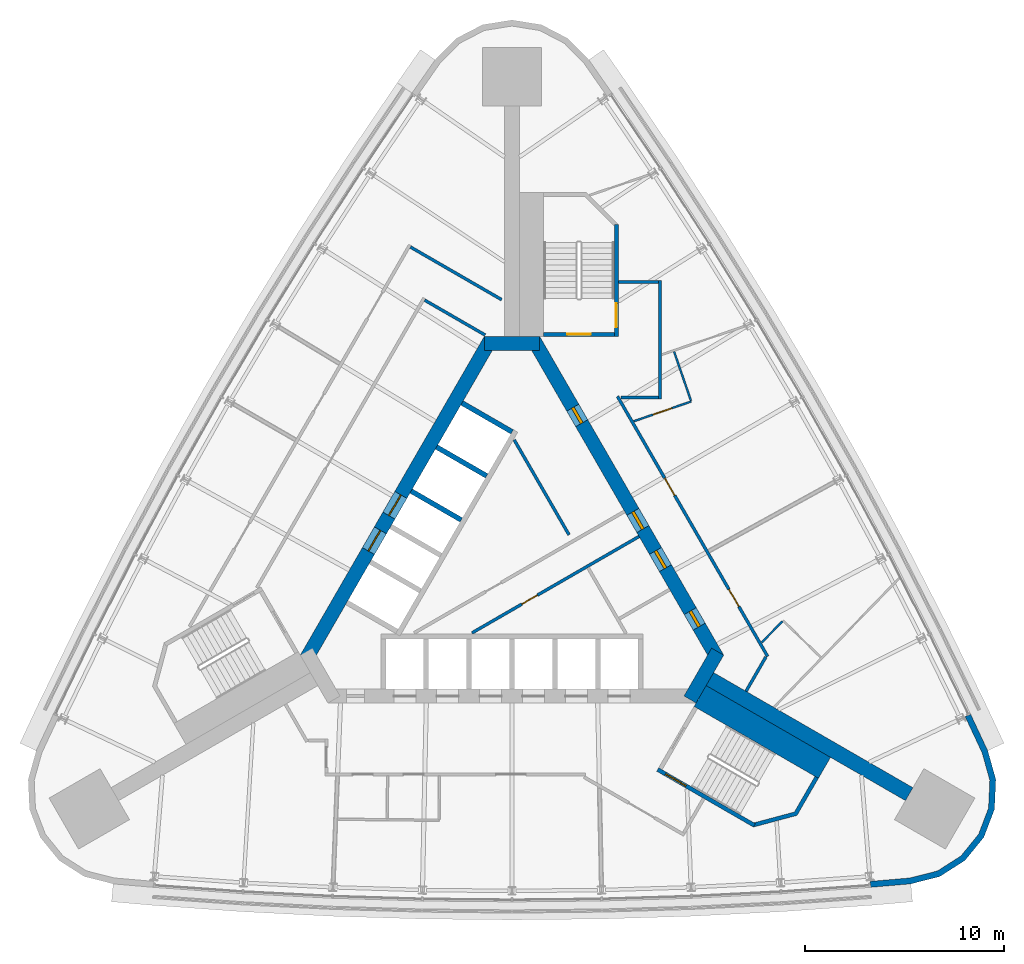
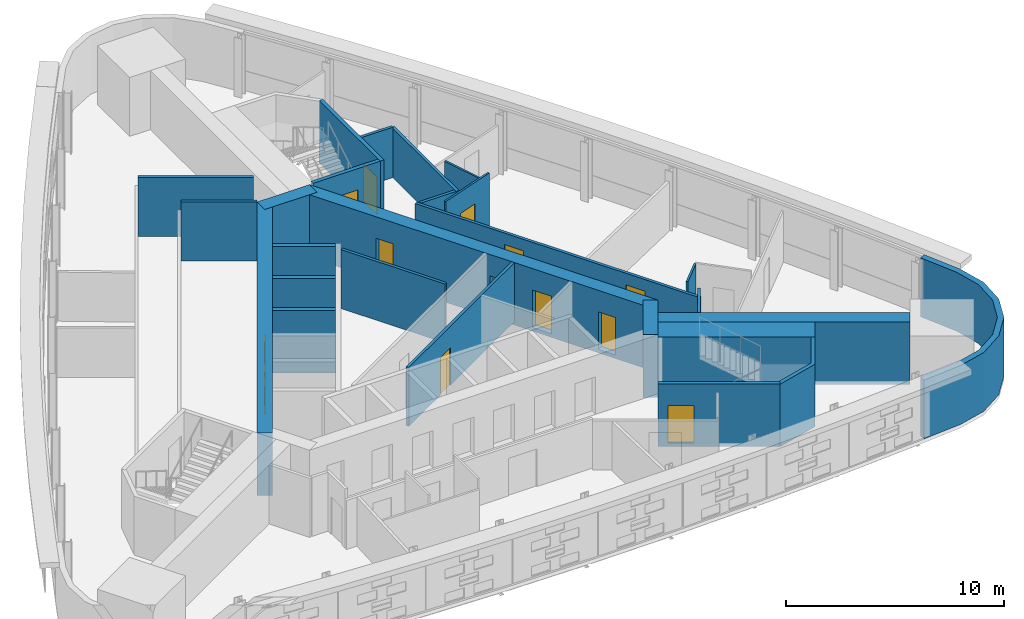
# One storey, part 8 of 11: 26 walls, 13 doors, 13 openings.
"""IFC4 building model written with IfcOpenShell, lengths in metres."""

import ifcopenshell
import ifcopenshell.guid

model = None  # the IFC model being written
_history = None  # IfcOwnerHistory: only IFC2X3 demands one
_inside = {}  # id of a spatial element -> (the spatial element, [elements in it])
_under = {}  # id of a project, library or spatial element -> (it, [spatial elements below it])
_declared = {}  # id of a project -> (the project, [libraries it declares])
_typed = {}  # id of a type object -> (the type object, [elements of that type])
_made_of = {}  # id of a material, layer set ... -> (it, [elements and type objects made of it])


def new_model(schema):
    """Start an empty IFC model of exactly this schema.

    Asked for "IFC4X3", IfcOpenShell would pick the latest addendum, in which some entities
    have other attributes; the version numbers below select the first issue.
    IFC2X3 requires an IfcOwnerHistory on every rooted entity: one is made here for all.
    """
    global model, _history
    if schema == "IFC4X3":
        model = ifcopenshell.file(schema_version=(4, 3, 0, 0))
    else:
        model = ifcopenshell.file(schema=schema)
    _inside.clear()
    _under.clear()
    _declared.clear()
    _typed.clear()
    _made_of.clear()
    _history = None
    if model.schema == "IFC2X3":
        org = make("IfcOrganization", Name="unknown")
        user = make(
            "IfcPersonAndOrganization",
            ThePerson=make("IfcPerson", FamilyName="unknown"),
            TheOrganization=org,
        )
        app = make(
            "IfcApplication",
            ApplicationDeveloper=org,
            Version="unknown",
            ApplicationFullName="unknown",
            ApplicationIdentifier="unknown",
        )
        _history = make(
            "IfcOwnerHistory",
            OwningUser=user,
            OwningApplication=app,
            ChangeAction="ADDED",
            CreationDate=0,
        )
    return model


def make(cls, **values):
    """One entity of the class cls with the attributes given. An attribute that is None is left unset."""
    return model.create_entity(
        cls, **{name: value for name, value in values.items() if value is not None}
    )


def rooted(cls, **values):
    """An entity with a GlobalId (a new one), such as an element, a storey or a relation."""
    return make(cls, GlobalId=ifcopenshell.guid.new(), OwnerHistory=_history, **values)


def si_unit(unit_type, name, prefix=None):
    """IfcSIUnit, for example si_unit("LENGTHUNIT", "METRE", prefix="MILLI")."""
    return make("IfcSIUnit", UnitType=unit_type, Prefix=prefix, Name=name)


def assignment(units):
    """IfcUnitAssignment: the units of a project."""
    return None if units is None else make("IfcUnitAssignment", Units=units)


def point(xyz):
    """IfcCartesianPoint."""
    return None if xyz is None else make("IfcCartesianPoint", Coordinates=xyz)


def direction(xyz):
    """IfcDirection."""
    return None if xyz is None else make("IfcDirection", DirectionRatios=xyz)


def frame(location, z_axis=None, x_axis=None):
    """IfcAxis2Placement3D, a coordinate frame: its origin and axes. An axis left out is left unset."""
    return make(
        "IfcAxis2Placement3D",
        Location=point(location),
        Axis=direction(z_axis),
        RefDirection=direction(x_axis),
    )


def frame_2d(location, x_axis=None):
    """IfcAxis2Placement2D, a coordinate frame in the plane: its origin and x axis."""
    return make(
        "IfcAxis2Placement2D", Location=point(location), RefDirection=direction(x_axis)
    )


def origin():
    """The frame at (0, 0, 0) with its axes left unset."""
    return frame((0.0, 0.0, 0.0))


def place(relative_to, where):
    """IfcLocalPlacement: puts the frame where relative to a parent placement (None: the world)."""
    return make(
        "IfcLocalPlacement", PlacementRelTo=relative_to, RelativePlacement=where
    )


def context(
    kind, dimensions, precision=None, world=None, true_north=None, identifier=None
):
    """IfcGeometricRepresentationContext, for example the 3D "Model" context."""
    return make(
        "IfcGeometricRepresentationContext",
        ContextIdentifier=identifier,
        ContextType=kind,
        CoordinateSpaceDimension=dimensions,
        Precision=precision,
        WorldCoordinateSystem=world,
        TrueNorth=true_north,
    )


def subcontext(parent, identifier, kind, view, scale=None):
    """IfcGeometricRepresentationSubContext, for example "Body" below "Model"."""
    return make(
        "IfcGeometricRepresentationSubContext",
        ContextIdentifier=identifier,
        ContextType=kind,
        ParentContext=parent,
        TargetScale=scale,
        TargetView=view,
    )


def project(units=None, contexts=None):
    """IfcProject with its units and contexts."""
    return rooted(
        "IfcProject",
        Name="project",
        RepresentationContexts=contexts,
        UnitsInContext=assignment(units),
    )


def spatial(cls, under=None, at=None, **own):
    """A site, building, storey or space (cls), placed at a placement, below another one or the project."""
    s = rooted(cls, ObjectPlacement=at, **own)
    if under is not None:
        _under.setdefault(under.id(), (under, []))[1].append(s)
    return s


def polyline(points):
    """IfcPolyline through the points."""
    return make("IfcPolyline", Points=[point(p) for p in points])


def profile(cls, at=None, kind="AREA", **sizes):
    """A parametric profile (cls). Its sizes go by their IFC names, for example OverallWidth=200.0."""
    return make(cls, ProfileType=kind, Position=at, **sizes)


def rectangle(**sizes):
    """IfcRectangleProfileDef."""
    return profile("IfcRectangleProfileDef", **sizes)


def outline(outer, holes=None, kind="AREA"):
    """IfcArbitraryClosedProfileDef: a profile drawn as a closed curve; with holes, ...WithVoids."""
    if holes is None:
        return make("IfcArbitraryClosedProfileDef", ProfileType=kind, OuterCurve=outer)
    return make(
        "IfcArbitraryProfileDefWithVoids",
        ProfileType=kind,
        OuterCurve=outer,
        InnerCurves=holes,
    )


def extrude(swept, where, along, depth):
    """IfcExtrudedAreaSolid: the profile swept, set in the frame where, extruded along a direction by depth."""
    return make(
        "IfcExtrudedAreaSolid",
        SweptArea=swept,
        Position=where,
        ExtrudedDirection=direction(along),
        Depth=depth,
    )


def shape(context_of_items, identifier, shape_type, items):
    """IfcShapeRepresentation: the items that make up one representation, for example the "Body"."""
    return make(
        "IfcShapeRepresentation",
        ContextOfItems=context_of_items,
        RepresentationIdentifier=identifier,
        RepresentationType=shape_type,
        Items=items,
    )


def material(Name=None, Category=None):
    """IfcMaterial."""
    return make("IfcMaterial", Name=Name, Category=Category)


def layer(
    of_material, thickness, ventilated=None, Name=None, Category=None, Priority=None
):
    """IfcMaterialLayer: one layer of a wall or slab, of a material (None: an air gap)."""
    return make(
        "IfcMaterialLayer",
        Material=of_material,
        LayerThickness=thickness,
        IsVentilated=ventilated,
        Name=Name,
        Category=Category,
        Priority=Priority,
    )


def layer_set(layers, Name=None):
    """IfcMaterialLayerSet."""
    return make("IfcMaterialLayerSet", MaterialLayers=layers, LayerSetName=Name)


def made_of(thing, what):
    """Note that an element or type object is made of a material, layer set ...; save() writes the relation."""
    if what is not None:
        _made_of.setdefault(what.id(), (what, []))[1].append(thing)
    return thing


def type_object(cls, material=None, **own):
    """A type object (cls), such as IfcWallType, which elements share."""
    return made_of(rooted(cls, **own), material)


def element(
    cls,
    number,
    at=None,
    inside=None,
    cuts=None,
    type_object=None,
    material=None,
    context=None,
    identifier="Body",
    shape_type=None,
    held_by="IfcProductDefinitionShape",
    body=None,
    shapes=None,
    **own,
):
    """One element of the class cls, such as IfcWall. Its Tag is "e" and its number.

    at: its placement. inside: the storey or other place that contains it. cuts: it is an
    opening in that element (IfcRelVoidsElement). A single representation is given by context,
    identifier, shape_type and body (its items); several are given by shapes. held_by: the class
    of the entity that holds the representations. save() writes the other relations.
    """
    e = rooted(cls, Tag="e%d" % number, ObjectPlacement=at, **own)
    if body is not None:
        shapes = [shape(context, identifier, shape_type, body)]
    if shapes is not None:
        e.Representation = make(held_by, Representations=shapes)
    if inside is not None:
        _inside.setdefault(inside.id(), (inside, []))[1].append(e)
    if cuts is not None:
        rooted(
            "IfcRelVoidsElement", RelatingBuildingElement=cuts, RelatedOpeningElement=e
        )
    if type_object is not None:
        _typed.setdefault(type_object.id(), (type_object, []))[1].append(e)
    return made_of(e, material)


def fill(opening, filler):
    """IfcRelFillsElement: the door or window that sits in an opening."""
    return rooted(
        "IfcRelFillsElement",
        RelatingOpeningElement=opening,
        RelatedBuildingElement=filler,
    )


def aggregate(whole, parts):
    """IfcRelAggregates: a whole, such as a stair, and the parts it consists of."""
    return rooted("IfcRelAggregates", RelatingObject=whole, RelatedObjects=parts)


def save(model, path):
    """Write the relations noted so far, then the file.

    IfcRelAggregates (storeys below a building ...), IfcRelContainedInSpatialStructure (elements
    in a storey), IfcRelDefinesByType, IfcRelAssociatesMaterial and IfcRelDeclares: one each for
    every whole, place, type object, material and project.
    """
    for whole, parts in _under.values():
        aggregate(whole, parts)
    for where, things in _inside.values():
        rooted(
            "IfcRelContainedInSpatialStructure",
            RelatedElements=things,
            RelatingStructure=where,
        )
    for kind, things in _typed.values():
        rooted("IfcRelDefinesByType", RelatedObjects=things, RelatingType=kind)
    for what, things in _made_of.values():
        rooted("IfcRelAssociatesMaterial", RelatedObjects=things, RelatingMaterial=what)
    for by, libraries in _declared.values():
        rooted("IfcRelDeclares", RelatingContext=by, RelatedDefinitions=libraries)
    model.write(path)


model = new_model("IFC4")

# Units and contexts
model_context = context("Model", 3, precision=1e-05, world=origin(), true_north=direction((0.0, 1.0)))
body_context = subcontext(model_context, "Body", "Model", "MODEL_VIEW")
ifc_project = project(units=[si_unit("LENGTHUNIT", "METRE"), si_unit("AREAUNIT", "SQUARE_METRE"), si_unit("VOLUMEUNIT", "CUBIC_METRE"), si_unit("PLANEANGLEUNIT", "RADIAN"), si_unit("MASSUNIT", "GRAM", prefix="KILO")], contexts=[model_context])

# Site, building, storey
site_placement = place(None, origin())
site = spatial("IfcSite", under=ifc_project, at=site_placement, CompositionType="ELEMENT")
building_placement = place(site_placement, origin())
building = spatial("IfcBuilding", under=site, at=building_placement, Name="Noor Cloister Tower", CompositionType="ELEMENT")
storey_placement = place(building_placement, frame((0.0, 0.0, 123.89990234375)))
storey = spatial("IfcBuildingStorey", under=building, at=storey_placement, Name="L32", CompositionType="ELEMENT", Elevation=123.89990234375)

# Wall
ifc_material_1 = material(Name="Concrete C80/95", Category="concrete")
ifc_layer_1 = layer(ifc_material_1, 0.75)
ifc_layer_set_1 = layer_set([ifc_layer_1], Name="Buttress wall 750 C80/95")
wall_type_1 = type_object("IfcWallType", Name="Buttress wall 750 C80/95", PredefinedType="SHEAR", material=ifc_layer_set_1)
wall_1_placement = place(storey_placement, frame((9.921630859375, -5.728271484375, -0.199951171875), z_axis=(0.0, 0.0, 1.0), x_axis=(0.866024913782, -0.500000848707, 0.0)))
element("IfcWall", 1, at=wall_1_placement, inside=storey, type_object=wall_type_1, Name="Buttress wall SE L32", PredefinedType="SHEAR", context=body_context, shape_type="SweptSolid", body=[
    extrude(rectangle(XDim=11.53857421875, YDim=0.75, at=frame_2d((5.769287109375, 0.0))), origin(), (0.0, 0.0, 1.0), 3.5),
])

# Wall, opening, door
ifc_material_2 = material(Name="Concrete C30/37", Category="concrete")
ifc_layer_2 = layer(ifc_material_2, 0.14990234375)
ifc_layer_set_2 = layer_set([ifc_layer_2], Name="Core partition 150 C30/37")
wall_type_2 = type_object("IfcWallType", Name="Core partition 150 C30/37", PredefinedType="PARTITIONING", material=ifc_layer_set_2)
wall_2_placement = place(storey_placement, frame((-2.00439453125, -3.4130859375, 0.0), z_axis=(0.0, 0.0, 1.0), x_axis=(0.866030034802, 0.499991978756, 0.0)))
wall_2 = element("IfcWall", 2, at=wall_2_placement, inside=storey, type_object=wall_type_2, Name="Core room partition L32 2", PredefinedType="PARTITIONING", context=body_context, shape_type="SweptSolid", body=[
    extrude(rectangle(XDim=9.670654296875, YDim=0.14990234375, at=frame_2d((4.83544921875, 0.0))), origin(), (0.0, 0.0, 1.0), 3.300048828125),
])
opening_1_placement = place(wall_2_placement, frame((2.88623046875, 0.0, 0.0)))
opening_1 = element("IfcOpeningElement", 3, at=opening_1_placement, cuts=wall_2, Name="Opening L32-905", PredefinedType="OPENING", context=body_context, shape_type="SweptSolid", body=[
    extrude(rectangle(XDim=0.89990234375, YDim=2.10009765625, at=frame_2d((0.449951171875, 1.050048828125))), frame((0.0, 0.0849609375, 0.0), z_axis=(0.0, -1.0, 0.0), x_axis=(1.0, 0.0, 0.0)), (0.0, 0.0, 1.0), 0.169921875),
])
ifc_material_3 = material(Name="Steel", Category="steel")
door_type_1 = type_object("IfcDoorType", Name="Core door 900 x 2100 FD60", OperationType="SINGLE_SWING_LEFT", PredefinedType="DOOR", material=ifc_material_3)
door_1_placement = place(opening_1_placement, origin())
door_1 = element("IfcDoor", 4, at=door_1_placement, inside=storey, type_object=door_type_1, Name="Core door 5 L32", OperationType="SINGLE_SWING_LEFT", OverallHeight=2.10009765625, OverallWidth=0.89990234375, PredefinedType="DOOR", context=body_context, shape_type="SweptSolid", body=[
    extrude(rectangle(XDim=0.89990234375, YDim=2.10009765625, at=frame_2d((0.449951171875, 1.050048828125))), frame((0.0, 0.02490234375, 0.0), z_axis=(0.0, -1.0, 0.0), x_axis=(1.0, 0.0, 0.0)), (0.0, 0.0, 1.0), 0.050048828125),
])
fill(opening_1, door_1)

# Walls
wall_3_placement = place(storey_placement, frame((2.860107421875, 1.502685546875, 0.0), z_axis=(0.0, 0.0, 1.0), x_axis=(-0.500014382217, 0.866017100048, 0.0)))
element("IfcWall", 5, at=wall_3_placement, inside=storey, type_object=wall_type_2, Name="Core room partition L32 3", PredefinedType="PARTITIONING", context=body_context, shape_type="SweptSolid", body=[
    extrude(rectangle(XDim=5.501708984375, YDim=0.14990234375, at=frame_2d((2.7509765625, 0.0))), origin(), (0.0, 0.0, 1.0), 3.300048828125),
])
ifc_material_4 = material(Name="Concrete C80/95", Category="concrete")
ifc_layer_3 = layer(ifc_material_4, 0.699951171875)
ifc_layer_set_3 = layer_set([ifc_layer_3], Name="Core wall 700 C80/95")
wall_type_3 = type_object("IfcWallType", Name="Core wall 700 C80/95", PredefinedType="SHEAR", material=ifc_layer_set_3)
wall_4_placement = place(storey_placement, frame((8.925537109375, -6.753173828125, -0.199951171875), z_axis=(0.0, 0.0, 1.0), x_axis=(0.500042739161, 0.866000726912, 0.0)))
element("IfcWall", 6, at=wall_4_placement, inside=storey, type_object=wall_type_3, Name="Core wall L32 2", PredefinedType="SHEAR", context=body_context, shape_type="SweptSolid", body=[
    extrude(rectangle(XDim=2.771240234375, YDim=0.699951171875, at=frame_2d((1.3857421875, 0.0))), origin(), (0.0, 0.0, 1.0), 3.5),
])

# Wall, openings, doors
wall_5_placement = place(storey_placement, frame((10.311279296875, -4.703125, -0.199951171875), z_axis=(0.0, 0.0, 1.0), x_axis=(-0.500001446645, 0.866024568562, 0.0)))
wall_5 = element("IfcWall", 7, at=wall_5_placement, inside=storey, type_object=wall_type_3, Name="Core wall L32 3", PredefinedType="SHEAR", context=body_context, shape_type="SweptSolid", body=[
    extrude(rectangle(XDim=18.45751953125, YDim=0.699951171875, at=frame_2d((9.228759765625, 0.0))), origin(), (0.0, 0.0, 1.0), 3.5),
])
opening_2_placement = place(wall_5_placement, frame((7.5, 0.0, 0.199951171875)))
opening_2 = element("IfcOpeningElement", 8, at=opening_2_placement, cuts=wall_5, Name="Opening L32-901", PredefinedType="OPENING", context=body_context, shape_type="SweptSolid", body=[
    extrude(rectangle(XDim=1.0, YDim=2.10009765625, at=frame_2d((0.5, 1.050048828125))), frame((0.0, 0.35986328125, 0.0), z_axis=(0.0, -1.0, 0.0), x_axis=(1.0, 0.0, 0.0)), (0.0, 0.0, 1.0), 0.719970703125),
])
opening_3_placement = place(wall_5_placement, frame((1.85205078125, 0.0, 0.199951171875)))
opening_3 = element("IfcOpeningElement", 9, at=opening_3_placement, cuts=wall_5, Name="Opening L32-902", PredefinedType="OPENING", context=body_context, shape_type="SweptSolid", body=[
    extrude(rectangle(XDim=0.89990234375, YDim=2.10009765625, at=frame_2d((0.449951171875, 1.050048828125))), frame((0.0, 0.35986328125, 0.0), z_axis=(0.0, -1.0, 0.0), x_axis=(1.0, 0.0, 0.0)), (0.0, 0.0, 1.0), 0.719970703125),
])
opening_4_placement = place(wall_5_placement, frame((5.237548828125, 0.0, 0.199951171875)))
opening_4 = element("IfcOpeningElement", 10, at=opening_4_placement, cuts=wall_5, Name="Opening L32-903", PredefinedType="OPENING", context=body_context, shape_type="SweptSolid", body=[
    extrude(rectangle(XDim=1.0, YDim=2.10009765625, at=frame_2d((0.5, 1.050048828125))), frame((0.0, 0.35986328125, 0.0), z_axis=(0.0, -1.0, 0.0), x_axis=(1.0, 0.0, 0.0)), (0.0, 0.0, 1.0), 0.719970703125),
])
opening_5_placement = place(wall_5_placement, frame((13.6298828125, 0.0, 0.199951171875)))
opening_5 = element("IfcOpeningElement", 11, at=opening_5_placement, cuts=wall_5, Name="Opening L32-904", PredefinedType="OPENING", context=body_context, shape_type="SweptSolid", body=[
    extrude(rectangle(XDim=0.89990234375, YDim=2.10009765625, at=frame_2d((0.449951171875, 1.050048828125))), frame((0.0, 0.35986328125, 0.0), z_axis=(0.0, -1.0, 0.0), x_axis=(1.0, 0.0, 0.0)), (0.0, 0.0, 1.0), 0.719970703125),
])
ifc_material_5 = material(Name="Steel", Category="steel")
door_type_2 = type_object("IfcDoorType", Name="Core door 1000 x 2100 FD120", OperationType="SINGLE_SWING_LEFT", PredefinedType="DOOR", material=ifc_material_5)
door_2_placement = place(opening_2_placement, origin())
door_2 = element("IfcDoor", 12, at=door_2_placement, inside=storey, type_object=door_type_2, Name="Core door 1 L32", OperationType="SINGLE_SWING_LEFT", OverallHeight=2.10009765625, OverallWidth=1.0, PredefinedType="DOOR", context=body_context, shape_type="SweptSolid", body=[
    extrude(rectangle(XDim=1.0, YDim=2.10009765625, at=frame_2d((0.5, 1.050048828125))), frame((0.0, 0.074951171875, 0.0), z_axis=(0.0, -1.0, 0.0), x_axis=(1.0, 0.0, 0.0)), (0.0, 0.0, 1.0), 0.14990234375),
])
fill(opening_2, door_2)
ifc_material_6 = material(Name="Steel", Category="steel")
door_type_3 = type_object("IfcDoorType", Name="Core door 1000 x 2100 FD60", OperationType="SINGLE_SWING_LEFT", PredefinedType="DOOR", material=ifc_material_6)
door_3_placement = place(opening_4_placement, origin())
door_3 = element("IfcDoor", 13, at=door_3_placement, inside=storey, type_object=door_type_3, Name="Core door 3 L32", OperationType="SINGLE_SWING_LEFT", OverallHeight=2.10009765625, OverallWidth=1.0, PredefinedType="DOOR", context=body_context, shape_type="SweptSolid", body=[
    extrude(rectangle(XDim=1.0, YDim=2.10009765625, at=frame_2d((0.5, 1.050048828125))), frame((0.0, 0.074951171875, 0.0), z_axis=(0.0, -1.0, 0.0), x_axis=(1.0, 0.0, 0.0)), (0.0, 0.0, 1.0), 0.14990234375),
])
fill(opening_4, door_3)
ifc_material_7 = material(Name="Steel", Category="steel")
door_type_4 = type_object("IfcDoorType", Name="Core door 900 x 2100 FD120", OperationType="SINGLE_SWING_LEFT", PredefinedType="DOOR", material=ifc_material_7)
door_4_placement = place(opening_5_placement, origin())
door_4 = element("IfcDoor", 14, at=door_4_placement, inside=storey, type_object=door_type_4, Name="Core door 4 L32", OperationType="SINGLE_SWING_RIGHT", OverallHeight=2.10009765625, OverallWidth=0.89990234375, PredefinedType="DOOR", context=body_context, shape_type="SweptSolid", body=[
    extrude(rectangle(XDim=0.89990234375, YDim=2.10009765625, at=frame_2d((0.449951171875, 1.050048828125))), frame((0.0, 0.074951171875, 0.0), z_axis=(0.0, -1.0, 0.0), x_axis=(1.0, 0.0, 0.0)), (0.0, 0.0, 1.0), 0.14990234375),
])
fill(opening_5, door_4)
door_5_placement = place(opening_3_placement, origin())
door_5 = element("IfcDoor", 15, at=door_5_placement, inside=storey, type_object=door_type_1, Name="Core door 2 L32", OperationType="SINGLE_SWING_RIGHT", OverallHeight=2.10009765625, OverallWidth=0.89990234375, PredefinedType="DOOR", context=body_context, shape_type="SweptSolid", body=[
    extrude(rectangle(XDim=0.89990234375, YDim=2.10009765625, at=frame_2d((0.449951171875, 1.050048828125))), frame((0.0, 0.074951171875, 0.0), z_axis=(0.0, -1.0, 0.0), x_axis=(1.0, 0.0, 0.0)), (0.0, 0.0, 1.0), 0.14990234375),
])
fill(opening_3, door_5)

# Wall
wall_6_placement = place(storey_placement, frame((1.3857421875, 11.1064453125, -0.199951171875), z_axis=(0.0, 0.0, 1.0), x_axis=(-1.0, 0.0, 0.0)))
element("IfcWall", 16, at=wall_6_placement, inside=storey, type_object=wall_type_3, Name="Core wall L32 4", PredefinedType="SHEAR", context=body_context, shape_type="SweptSolid", body=[
    extrude(rectangle(XDim=2.771484375, YDim=0.699951171875, at=frame_2d((1.3857421875, 0.0))), origin(), (0.0, 0.0, 1.0), 3.5),
])

# Wall, openings, doors
wall_7_placement = place(storey_placement, frame((-1.08251953125, 11.281494140625, -0.199951171875), z_axis=(0.0, 0.0, 1.0), x_axis=(-0.500001446645, -0.866024568562, 0.0)))
wall_7 = element("IfcWall", 17, at=wall_7_placement, inside=storey, type_object=wall_type_3, Name="Core wall L32 5", PredefinedType="SHEAR", context=body_context, shape_type="SweptSolid", body=[
    extrude(rectangle(XDim=18.45751953125, YDim=0.699951171875, at=frame_2d((9.228759765625, 0.0))), origin(), (0.0, 0.0, 1.0), 3.5),
])
opening_6_placement = place(wall_7_placement, frame((8.978759765625, 0.0, 0.199951171875)))
opening_6 = element("IfcOpeningElement", 18, at=opening_6_placement, cuts=wall_7, Name="Opening L32-FF1", PredefinedType="OPENING", context=body_context, shape_type="SweptSolid", body=[
    extrude(rectangle(XDim=1.199951171875, YDim=2.10009765625, at=frame_2d((0.60009765625, 1.050048828125))), frame((0.0, 0.35986328125, 0.0), z_axis=(0.0, -1.0, 0.0), x_axis=(1.0, 0.0, 0.0)), (0.0, 0.0, 1.0), 0.719970703125),
])
opening_7_placement = place(wall_7_placement, frame((11.02880859375, 0.0, 0.199951171875)))
opening_7 = element("IfcOpeningElement", 19, at=opening_7_placement, cuts=wall_7, Name="Opening L32-FF2", PredefinedType="OPENING", context=body_context, shape_type="SweptSolid", body=[
    extrude(rectangle(XDim=1.199951171875, YDim=2.10009765625, at=frame_2d((0.60009765625, 1.050048828125))), frame((0.0, 0.35986328125, 0.0), z_axis=(0.0, -1.0, 0.0), x_axis=(1.0, 0.0, 0.0)), (0.0, 0.0, 1.0), 0.719970703125),
])
ifc_material_8 = material(Name="Stainless steel", Category="steel")
door_type_5 = type_object("IfcDoorType", Name="Lift landing door 1200 x 2100", OperationType="DOUBLE_DOOR_SLIDING", PredefinedType="DOOR", material=ifc_material_8)
door_6_placement = place(opening_6_placement, origin())
door_6 = element("IfcDoor", 20, at=door_6_placement, inside=storey, type_object=door_type_5, Name="Landing door FF1 L32", OperationType="DOUBLE_DOOR_SLIDING", OverallHeight=2.10009765625, OverallWidth=1.199951171875, PredefinedType="DOOR", context=body_context, shape_type="SweptSolid", body=[
    extrude(rectangle(XDim=1.199951171875, YDim=2.10009765625, at=frame_2d((0.60009765625, 1.050048828125))), frame((0.0, 0.02490234375, 0.0), z_axis=(0.0, -1.0, 0.0), x_axis=(1.0, 0.0, 0.0)), (0.0, 0.0, 1.0), 0.050048828125),
])
fill(opening_6, door_6)
door_7_placement = place(opening_7_placement, origin())
door_7 = element("IfcDoor", 21, at=door_7_placement, inside=storey, type_object=door_type_5, Name="Landing door FF2 L32", OperationType="DOUBLE_DOOR_SLIDING", OverallHeight=2.10009765625, OverallWidth=1.199951171875, PredefinedType="DOOR", context=body_context, shape_type="SweptSolid", body=[
    extrude(rectangle(XDim=1.199951171875, YDim=2.10009765625, at=frame_2d((0.60009765625, 1.050048828125))), frame((0.0, 0.02490234375, 0.0), z_axis=(0.0, -1.0, 0.0), x_axis=(1.0, 0.0, 0.0)), (0.0, 0.0, 1.0), 0.050048828125),
])
fill(opening_7, door_7)

# Wall
ifc_material_9 = material(Name="Fire-rated gypsum board partition on steel studs, 150 mm", Category="steel")
ifc_layer_4 = layer(ifc_material_9, 0.14990234375)
ifc_layer_set_4 = layer_set([ifc_layer_4], Name="Fire lobby wall 150")
wall_type_4 = type_object("IfcWallType", Name="Fire lobby wall 150", PredefinedType="PARTITIONING", material=ifc_layer_set_4)
wall_8_placement = place(storey_placement, frame((-4.379150390625, 13.271484375, 0.0), z_axis=(0.0, 0.0, 1.0), x_axis=(0.866019471182, -0.500010275428, 0.0)))
element("IfcWall", 22, at=wall_8_placement, inside=storey, type_object=wall_type_4, Name="Fire lobby wall 150 L32 008", PredefinedType="PARTITIONING", context=body_context, shape_type="SweptSolid", body=[
    extrude(rectangle(XDim=3.5, YDim=0.14990234375, at=frame_2d((1.75, 0.0))), origin(), (0.0, 0.0, 1.0), 3.300048828125),
])

# Wall, openings, doors
ifc_material_10 = material(Name="Gypsum board partition on steel studs, 150 mm", Category="steel")
ifc_layer_5 = layer(ifc_material_10, 0.14990234375)
ifc_layer_set_5 = layer_set([ifc_layer_5], Name="Flat wall 150")
wall_type_5 = type_object("IfcWallType", Name="Flat wall 150", PredefinedType="PARTITIONING", material=ifc_layer_set_5)
wall_9_placement = place(storey_placement, frame((5.28857421875, 8.4462890625, 0.0), z_axis=(0.0, 0.0, 1.0), x_axis=(0.499996620721, -0.866027354803, 0.0)))
wall_9 = element("IfcWall", 23, at=wall_9_placement, inside=storey, type_object=wall_type_5, Name="Flat wall 150 L32 003", PredefinedType="PARTITIONING", context=body_context, shape_type="SweptSolid", body=[
    extrude(rectangle(XDim=15.056640625, YDim=0.14990234375, at=frame_2d((7.5283203125, 0.0))), origin(), (0.0, 0.0, 1.0), 2.7470703125),
])
opening_8_placement = place(wall_9_placement, frame((11.17041015625, 0.0, 0.0)))
opening_8 = element("IfcOpeningElement", 24, at=opening_8_placement, cuts=wall_9, Name="Opening L32-005", PredefinedType="OPENING", context=body_context, shape_type="SweptSolid", body=[
    extrude(rectangle(XDim=1.0, YDim=2.10009765625, at=frame_2d((0.5, 1.050048828125))), frame((0.0, 0.0849609375, 0.0), z_axis=(0.0, -1.0, 0.0), x_axis=(1.0, 0.0, 0.0)), (0.0, 0.0, 1.0), 0.169921875),
])
opening_9_placement = place(wall_9_placement, frame((4.736328125, 0.0, 0.0)))
opening_9 = element("IfcOpeningElement", 25, at=opening_9_placement, cuts=wall_9, Name="Opening L32-006", PredefinedType="OPENING", context=body_context, shape_type="SweptSolid", body=[
    extrude(rectangle(XDim=1.0, YDim=2.10009765625, at=frame_2d((0.5, 1.050048828125))), frame((0.0, 0.0849609375, 0.0), z_axis=(0.0, -1.0, 0.0), x_axis=(1.0, 0.0, 0.0)), (0.0, 0.0, 1.0), 0.169921875),
])
ifc_material_11 = material(Name="Timber door leaf with steel frame", Category="steel")
door_type_6 = type_object("IfcDoorType", Name="Flat entrance door 1000 FD60S", OperationType="NOTDEFINED", PredefinedType="DOOR", material=ifc_material_11)
door_8_placement = place(opening_8_placement, origin())
door_8 = element("IfcDoor", 26, at=door_8_placement, inside=storey, type_object=door_type_6, Name="Flat entrance door 1000 L32-005", OperationType="SINGLE_SWING_RIGHT", OverallHeight=2.10009765625, OverallWidth=1.0, PredefinedType="DOOR", context=body_context, shape_type="SweptSolid", body=[
    extrude(rectangle(XDim=1.0, YDim=2.10009765625, at=frame_2d((0.5, 1.050048828125))), frame((0.0, 0.02490234375, 0.0), z_axis=(0.0, -1.0, 0.0), x_axis=(1.0, 0.0, 0.0)), (0.0, 0.0, 1.0), 0.050048828125),
])
fill(opening_8, door_8)
door_9_placement = place(opening_9_placement, origin())
door_9 = element("IfcDoor", 27, at=door_9_placement, inside=storey, type_object=door_type_6, Name="Flat entrance door 1000 L32-006", OperationType="SINGLE_SWING_LEFT", OverallHeight=2.10009765625, OverallWidth=1.0, PredefinedType="DOOR", context=body_context, shape_type="SweptSolid", body=[
    extrude(rectangle(XDim=1.0, YDim=2.10009765625, at=frame_2d((0.5, 1.050048828125))), frame((0.0, 0.02490234375, 0.0), z_axis=(0.0, -1.0, 0.0), x_axis=(1.0, 0.0, 0.0)), (0.0, 0.0, 1.0), 0.050048828125),
])
fill(opening_9, door_9)

# Walls
wall_10_placement = place(storey_placement, frame((7.41064453125, 8.306396484375, 0.0), z_axis=(0.0, 0.0, 1.0), x_axis=(0.0, 1.0, 0.0)))
element("IfcWall", 28, at=wall_10_placement, inside=storey, type_object=wall_type_5, Name="Flat wall 150 L32 006", PredefinedType="PARTITIONING", context=body_context, shape_type="SweptSolid", body=[
    extrude(rectangle(XDim=5.949951171875, YDim=0.14990234375, at=frame_2d((2.97509765625, 0.0))), origin(), (0.0, 0.0, 1.0), 2.7470703125),
])
wall_11_placement = place(storey_placement, frame((-5.093017578125, 15.93505859375, 0.0), z_axis=(0.0, 0.0, 1.0), x_axis=(0.866033195618, -0.499986503906, 0.0)))
element("IfcWall", 29, at=wall_11_placement, inside=storey, type_object=wall_type_5, Name="Flat wall 150 L32 007", PredefinedType="PARTITIONING", context=body_context, shape_type="SweptSolid", body=[
    extrude(rectangle(XDim=5.282470703125, YDim=0.14990234375, at=frame_2d((2.64111328125, 0.0))), origin(), (0.0, 0.0, 1.0), 3.300048828125),
])
wall_12_placement = place(storey_placement, frame((11.73291015625, -6.3408203125, 0.0), z_axis=(0.0, 0.0, 1.0), x_axis=(0.50003033167, 0.866007891078, 0.0)))
element("IfcWall", 30, at=wall_12_placement, inside=storey, type_object=wall_type_5, Name="Flat wall 150 L32 010", PredefinedType="PARTITIONING", context=body_context, shape_type="SweptSolid", body=[
    extrude(rectangle(XDim=1.99072265625, YDim=0.14990234375, at=frame_2d((0.995361328125, 0.0))), origin(), (0.0, 0.0, 1.0), 3.300048828125),
])
wall_13_placement = place(storey_placement, frame((5.335693359375, 14.181396484375, 0.0), z_axis=(0.0, 0.0, 1.0), x_axis=(1.0, 0.0, 0.0)))
element("IfcWall", 31, at=wall_13_placement, inside=storey, type_object=wall_type_5, Name="Flat wall 150 L32 011", PredefinedType="PARTITIONING", context=body_context, shape_type="SweptSolid", body=[
    extrude(rectangle(XDim=2.0, YDim=0.14990234375, at=frame_2d((1.0, 0.0))), origin(), (0.0, 0.0, 1.0), 2.822998046875),
])
wall_14_placement = place(storey_placement, frame((5.4560546875, 8.38134765625, 0.0), z_axis=(0.0, 0.0, 1.0), x_axis=(1.0, 0.0, 0.0)))
element("IfcWall", 32, at=wall_14_placement, inside=storey, type_object=wall_type_5, Name="Flat wall 150 L32 013", PredefinedType="PARTITIONING", context=body_context, shape_type="SweptSolid", body=[
    extrude(rectangle(XDim=1.879638671875, YDim=0.14990234375, at=frame_2d((0.93994140625, 0.0))), origin(), (0.0, 0.0, 1.0), 2.7470703125),
])
ifc_material_12 = material(Name="Limestone", Category="masonry")
ifc_layer_6 = layer(ifc_material_12, 0.300048828125)
ifc_layer_set_6 = layer_set([ifc_layer_6], Name="Limestone cladding 300")
wall_type_6 = type_object("IfcWallType", Name="Limestone cladding 300", PredefinedType="NOTDEFINED", material=ifc_layer_set_6)
wall_15_placement = place(storey_placement, origin())
element("IfcWall", 33, at=wall_15_placement, inside=storey, type_object=wall_type_6, Name="Limestone pier cladding L32 2.1", PredefinedType="NOTDEFINED", context=body_context, shape_type="SweptSolid", body=[
    extrude(outline(polyline([(17.980224609375, -16.1689453125), (19.99853515625, -15.995361328125), (21.44921875, -15.625244140625), (22.710693359375, -14.81884765625), (23.65576171875, -13.65771484375), (24.18896484375, -12.258544921875), (24.256591796875, -10.762939453125), (23.851806640625, -9.321533203125), (22.992919921875, -7.48681640625), (22.72119140625, -7.614013671875), (23.569580078125, -9.42626953125), (23.95458984375, -10.797607421875), (23.891357421875, -12.19677734375), (23.392578125, -13.505859375), (22.508544921875, -14.59228515625), (21.328369140625, -15.3466796875), (19.9482421875, -15.69873046875), (17.95458984375, -15.8701171875), (17.980224609375, -16.1689453125)])), origin(), (0.0, 0.0, 1.0), 3.300048828125),
])

# Wall, opening, door
ifc_material_13 = material(Name="Gypsum board partition on steel studs, 100 mm", Category="steel")
ifc_layer_7 = layer(ifc_material_13, 0.10009765625)
ifc_layer_set_7 = layer_set([ifc_layer_7], Name="Partition 100")
wall_type_7 = type_object("IfcWallType", Name="Partition 100", PredefinedType="PARTITIONING", material=ifc_layer_set_7)
wall_16_placement = place(storey_placement, frame((6.10693359375, 7.197998046875, 0.0), z_axis=(0.0, 0.0, 1.0), x_axis=(0.94554324897, 0.325496488962, 0.0)))
wall_16 = element("IfcWall", 34, at=wall_16_placement, inside=storey, type_object=wall_type_7, Name="Partition 100 L32 025", PredefinedType="PARTITIONING", context=body_context, shape_type="SweptSolid", body=[
    extrude(rectangle(XDim=3.045166015625, YDim=0.10009765625, at=frame_2d((1.5224609375, 0.0))), origin(), (0.0, 0.0, 1.0), 3.300048828125),
])
opening_10_placement = place(wall_16_placement, frame((1.017822265625, 0.0, 0.0)))
opening_10 = element("IfcOpeningElement", 35, at=opening_10_placement, cuts=wall_16, Name="Opening L32-015", PredefinedType="OPENING", context=body_context, shape_type="SweptSolid", body=[
    extrude(rectangle(XDim=1.0, YDim=2.10009765625, at=frame_2d((0.5, 1.050048828125))), frame((0.0, 0.06005859375, 0.0), z_axis=(0.0, -1.0, 0.0), x_axis=(1.0, 0.0, 0.0)), (0.0, 0.0, 1.0), 0.1201171875),
])
ifc_material_14 = material(Name="Timber door leaf with steel frame", Category="steel")
door_type_7 = type_object("IfcDoorType", Name="Interior door 1000", OperationType="NOTDEFINED", PredefinedType="DOOR", material=ifc_material_14)
door_10_placement = place(opening_10_placement, origin())
door_10 = element("IfcDoor", 36, at=door_10_placement, inside=storey, type_object=door_type_7, Name="Interior door 1000 L32-015", OperationType="SINGLE_SWING_LEFT", OverallHeight=2.10009765625, OverallWidth=1.0, PredefinedType="DOOR", context=body_context, shape_type="SweptSolid", body=[
    extrude(rectangle(XDim=1.0, YDim=2.10009765625, at=frame_2d((0.5, 1.050048828125))), frame((0.0, 0.02490234375, 0.0), z_axis=(0.0, -1.0, 0.0), x_axis=(1.0, 0.0, 0.0)), (0.0, 0.0, 1.0), 0.050048828125),
])
fill(opening_10, door_10)

# Walls
wall_17_placement = place(storey_placement, frame((8.123779296875, 10.69482421875, 0.0), z_axis=(0.0, 0.0, 1.0), x_axis=(0.325536334257, -0.945529531574, 0.0)))
element("IfcWall", 37, at=wall_17_placement, inside=storey, type_object=wall_type_7, Name="Partition 100 L32 026", PredefinedType="PARTITIONING", context=body_context, shape_type="SweptSolid", body=[
    extrude(rectangle(XDim=2.60009765625, YDim=0.10009765625, at=frame_2d((1.300048828125, 0.0))), origin(), (0.0, 0.0, 1.0), 2.7470703125),
])
wall_18_placement = place(storey_placement, frame((12.51806640625, -3.898193359375, 0.0), z_axis=(0.0, 0.0, 1.0), x_axis=(0.69667940227, 0.717382610922, 0.0)))
element("IfcWall", 38, at=wall_18_placement, inside=storey, type_object=wall_type_7, Name="Partition 100 L32 030", PredefinedType="PARTITIONING", context=body_context, shape_type="SweptSolid", body=[
    extrude(rectangle(XDim=1.48583984375, YDim=0.10009765625, at=frame_2d((0.742919921875, 0.0))), origin(), (0.0, 0.0, 1.0), 3.300048828125),
])
ifc_material_15 = material(Name="Concrete C80/95", Category="concrete")
ifc_layer_8 = layer(ifc_material_15, 0.25)
ifc_layer_set_8 = layer_set([ifc_layer_8], Name="Shaft wall 250 C80/95")
wall_type_8 = type_object("IfcWallType", Name="Shaft wall 250 C80/95", PredefinedType="PARTITIONING", material=ifc_layer_set_8)
wall_19_placement = place(storey_placement, frame((-2.50634765625, 8.115478515625, -0.199951171875), z_axis=(0.0, 0.0, 1.0), x_axis=(0.865996321171, -0.50005036918, 0.0)))
element("IfcWall", 39, at=wall_19_placement, inside=storey, type_object=wall_type_8, Name="Lift shaft wall L32 NW 1", PredefinedType="PARTITIONING", context=body_context, shape_type="SweptSolid", body=[
    extrude(rectangle(XDim=2.900146484375, YDim=0.25, at=frame_2d((1.4501953125, 0.0))), origin(), (0.0, 0.0, 1.0), 3.5),
])
for number, where, z_axis, x_axis, name in (
    (40, (-3.78125, 5.906982421875, -0.199951171875), (0.0, 0.0, 1.0), (0.866032775405, -0.499987231761, 0.0), "Lift shaft wall L32 NW 2"),
    (41, (-5.056396484375, 3.69873046875, -0.199951171875), (0.0, 0.0, 1.0), (0.866032775405, -0.499987231761, 0.0), "Lift shaft wall L32 NW 3"),
):
    element("IfcWall", number, at=place(storey_placement, frame(where, z_axis=z_axis, x_axis=x_axis)), inside=storey, type_object=wall_type_8, Name=name, PredefinedType="PARTITIONING", context=body_context, shape_type="SweptSolid", body=[
        extrude(rectangle(XDim=2.89990234375, YDim=0.25, at=frame_2d((1.449951171875, 0.0))), origin(), (0.0, 0.0, 1.0), 3.5),
    ])
ifc_material_16 = material(Name="Concrete C80/95", Category="concrete")
ifc_layer_9 = layer(ifc_material_16, 1.2109375)
ifc_layer_set_9 = layer_set([ifc_layer_9], Name="Stair enclosure wall 1211 C80/95")
wall_type_9 = type_object("IfcWallType", Name="Stair enclosure wall 1211 C80/95", PredefinedType="SHEAR", material=ifc_layer_set_9)
wall_20_placement = place(storey_placement, frame((9.431396484375, -6.5771484375, -0.199951171875), z_axis=(0.0, 0.0, 1.0), x_axis=(0.866018442252, -0.500012057535, 0.0)))
element("IfcWall", 42, at=wall_20_placement, inside=storey, type_object=wall_type_9, Name="Stair enclosure wall ST3 L32 riser side", PredefinedType="SHEAR", context=body_context, shape_type="SweptSolid", body=[
    extrude(rectangle(XDim=7.199951171875, YDim=1.210693359375, at=frame_2d((3.60009765625, 0.0))), origin(), (0.0, 0.0, 1.0), 3.5),
])

# Wall, opening, door
ifc_material_17 = material(Name="Concrete C80/95", Category="concrete")
ifc_layer_10 = layer(ifc_material_17, 0.199951171875)
ifc_layer_set_10 = layer_set([ifc_layer_10], Name="Stair enclosure wall 200 C80/95")
wall_type_10 = type_object("IfcWallType", Name="Stair enclosure wall 200 C80/95", PredefinedType="SHEAR", material=ifc_layer_set_10)
wall_21_placement = place(storey_placement, frame((5.135498046875, 11.556396484375, -0.199951171875), z_axis=(0.0, 0.0, 1.0), x_axis=(-1.0, 0.0, 0.0)))
wall_21 = element("IfcWall", 43, at=wall_21_placement, inside=storey, type_object=wall_type_10, Name="Stair enclosure wall ST1 L32 near end", PredefinedType="SHEAR", context=body_context, shape_type="SweptSolid", body=[
    extrude(rectangle(XDim=3.5498046875, YDim=0.199951171875, at=frame_2d((1.77490234375, 0.0))), origin(), (0.0, 0.0, 1.0), 3.5),
])
opening_11_placement = place(wall_21_placement, frame((1.175048828125, 0.0, 0.199951171875)))
opening_11 = element("IfcOpeningElement", 44, at=opening_11_placement, cuts=wall_21, Name="Opening L32-ST1L", PredefinedType="OPENING", context=body_context, shape_type="SweptSolid", body=[
    extrude(rectangle(XDim=1.199951171875, YDim=2.10009765625, at=frame_2d((0.60009765625, 1.050048828125))), frame((0.0, 0.10986328125, 0.0), z_axis=(0.0, -1.0, 0.0), x_axis=(1.0, 0.0, 0.0)), (0.0, 0.0, 1.0), 0.219970703125),
])
ifc_material_18 = material(Name="Steel", Category="steel")
door_type_8 = type_object("IfcDoorType", Name="Stair door 1200 x 2100 FD120", OperationType="SINGLE_SWING_LEFT", PredefinedType="DOOR", material=ifc_material_18)
door_11_placement = place(opening_11_placement, origin())
door_11 = element("IfcDoor", 45, at=door_11_placement, inside=storey, type_object=door_type_8, Name="Stair door ST1 L32", OperationType="SINGLE_SWING_RIGHT", OverallHeight=2.10009765625, OverallWidth=1.199951171875, PredefinedType="DOOR", context=body_context, shape_type="SweptSolid", body=[
    extrude(rectangle(XDim=1.199951171875, YDim=2.10009765625, at=frame_2d((0.60009765625, 1.050048828125))), frame((0.0, 0.02490234375, 0.0), z_axis=(0.0, -1.0, 0.0), x_axis=(1.0, 0.0, 0.0)), (0.0, 0.0, 1.0), 0.050048828125),
])
fill(opening_11, door_11)

wall_22_placement = place(storey_placement, frame((5.235595703125, 11.456298828125, -0.199951171875), z_axis=(0.0, 0.0, 1.0), x_axis=(0.0, 1.0, 0.0)))
wall_22 = element("IfcWall", 46, at=wall_22_placement, inside=storey, type_object=wall_type_10, Name="Stair enclosure wall ST1 L32 outer side", PredefinedType="SHEAR", context=body_context, shape_type="SweptSolid", body=[
    extrude(rectangle(XDim=5.60009765625, YDim=0.199951171875, at=frame_2d((2.800048828125, 0.0))), origin(), (0.0, 0.0, 1.0), 3.5),
])
opening_12_placement = place(wall_22_placement, frame((0.449951171875, 0.0, 0.199951171875)))
opening_12 = element("IfcOpeningElement", 47, at=opening_12_placement, cuts=wall_22, Name="Opening L32-ST1C", PredefinedType="OPENING", context=body_context, shape_type="SweptSolid", body=[
    extrude(rectangle(XDim=1.199951171875, YDim=2.10009765625, at=frame_2d((0.60009765625, 1.050048828125))), frame((0.0, 0.10986328125, 0.0), z_axis=(0.0, -1.0, 0.0), x_axis=(1.0, 0.0, 0.0)), (0.0, 0.0, 1.0), 0.219970703125),
])
door_12_placement = place(opening_12_placement, origin())
door_12 = element("IfcDoor", 48, at=door_12_placement, inside=storey, type_object=door_type_8, Name="Stair door ST1 L32", OperationType="SINGLE_SWING_LEFT", OverallHeight=2.10009765625, OverallWidth=1.199951171875, PredefinedType="DOOR", context=body_context, shape_type="SweptSolid", body=[
    extrude(rectangle(XDim=1.199951171875, YDim=2.10009765625, at=frame_2d((0.60009765625, 1.050048828125))), frame((0.0, 0.02490234375, 0.0), z_axis=(0.0, -1.0, 0.0), x_axis=(1.0, 0.0, 0.0)), (0.0, 0.0, 1.0), 0.050048828125),
])
fill(opening_12, door_12)

wall_23_placement = place(storey_placement, frame((7.3037109375, -10.262451171875, -0.199951171875), z_axis=(0.0, 0.0, 1.0), x_axis=(0.866026594901, -0.49999793692, 0.0)))
wall_23 = element("IfcWall", 49, at=wall_23_placement, inside=storey, type_object=wall_type_10, Name="Stair enclosure wall ST3 L32 outer side", PredefinedType="SHEAR", context=body_context, shape_type="SweptSolid", body=[
    extrude(rectangle(XDim=5.60009765625, YDim=0.199951171875, at=frame_2d((2.800048828125, 0.0))), origin(), (0.0, 0.0, 1.0), 3.5),
])
opening_13_placement = place(wall_23_placement, frame((0.449951171875, 0.0, 0.199951171875)))
opening_13 = element("IfcOpeningElement", 50, at=opening_13_placement, cuts=wall_23, Name="Opening L32-ST3C", PredefinedType="OPENING", context=body_context, shape_type="SweptSolid", body=[
    extrude(rectangle(XDim=1.199951171875, YDim=2.10009765625, at=frame_2d((0.60009765625, 1.050048828125))), frame((0.0, 0.10986328125, 0.0), z_axis=(0.0, -1.0, 0.0), x_axis=(1.0, 0.0, 0.0)), (0.0, 0.0, 1.0), 0.219970703125),
])
door_13_placement = place(opening_13_placement, origin())
door_13 = element("IfcDoor", 51, at=door_13_placement, inside=storey, type_object=door_type_8, Name="Stair door ST3 L32", OperationType="SINGLE_SWING_LEFT", OverallHeight=2.10009765625, OverallWidth=1.199951171875, PredefinedType="DOOR", context=body_context, shape_type="SweptSolid", body=[
    extrude(rectangle(XDim=1.199951171875, YDim=2.10009765625, at=frame_2d((0.60009765625, 1.050048828125))), frame((0.0, 0.02490234375, 0.0), z_axis=(0.0, -1.0, 0.0), x_axis=(1.0, 0.0, 0.0)), (0.0, 0.0, 1.0), 0.050048828125),
])
fill(opening_13, door_13)

# Wall
ifc_material_19 = material(Name="Concrete C80/95", Category="concrete")
wall_type_11 = type_object("IfcWallType", Name="Stair far end wall C80/95", PredefinedType="SHEAR", material=ifc_material_19)
wall_24_placement = place(storey_placement, frame((0.0, 0.0, -0.199951171875)))
element("IfcWall", 52, at=wall_24_placement, inside=storey, type_object=wall_type_11, Name="Stair enclosure wall ST3 L32 far end", PredefinedType="SHEAR", context=body_context, shape_type="SweptSolid", body=[
    extrude(outline(polyline([(12.103515625, -13.14892578125), (14.2890625, -12.5634765625), (15.364013671875, -10.701416015625), (15.19091796875, -10.601318359375), (14.1572265625, -12.3916015625), (12.131591796875, -12.934326171875), (12.20361328125, -12.975830078125), (12.20361328125, -12.975830078125), (12.20361328125, -12.975830078125), (12.20361328125, -12.975830078125), (12.20361328125, -12.975830078125), (12.20361328125, -12.975830078125), (12.20361328125, -12.975830078125), (12.20361328125, -12.975830078125), (12.20361328125, -12.975830078125), (12.20361328125, -12.975830078125), (12.20361328125, -12.975830078125), (12.20361328125, -12.975830078125), (12.20361328125, -12.975830078125), (12.20361328125, -12.975830078125), (12.20361328125, -12.975830078125), (12.20361328125, -12.975830078125), (12.20361328125, -12.975830078125), (12.103515625, -13.14892578125)])), origin(), (0.0, 0.0, 1.0), 3.5),
])

save(model, "model.ifc")
